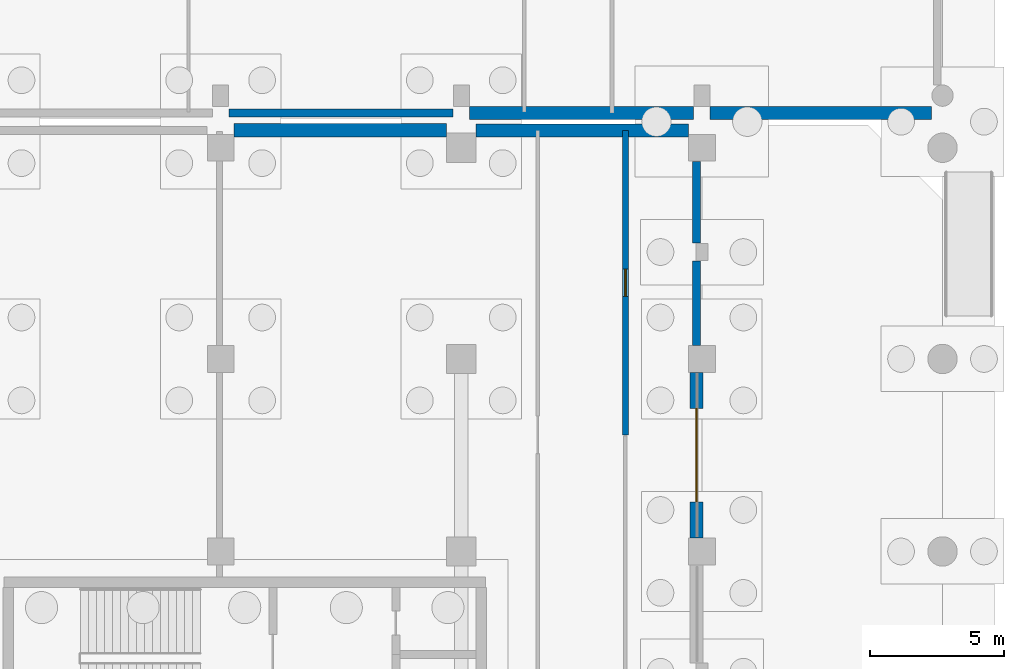
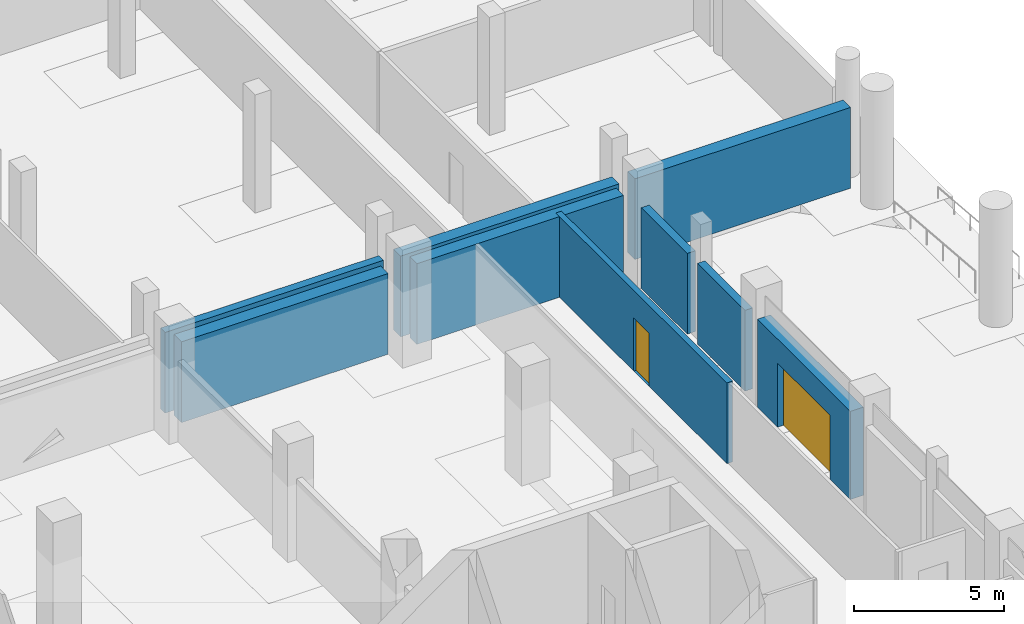
# One storey, part 32 of 53: 9 walls, 2 doors, 2 openings.
"""IFC4 building model written with IfcOpenShell, lengths in metres."""

from ifc_helpers import new_model, si_unit, direction, frame, frame_2d, origin, place, context, subcontext, project, spatial, rectangle, extrude, material, layer, layer_set, type_object, element, fill, save


model = new_model("IFC4")

# Units and contexts
model_context = context("Model", 3, precision=1e-05, world=origin(), true_north=direction((0.0, 1.0)))
body_context = subcontext(model_context, "Body", "Model", "MODEL_VIEW")
ifc_project = project(units=[si_unit("LENGTHUNIT", "METRE"), si_unit("AREAUNIT", "SQUARE_METRE"), si_unit("VOLUMEUNIT", "CUBIC_METRE"), si_unit("PLANEANGLEUNIT", "RADIAN"), si_unit("MASSUNIT", "GRAM", prefix="KILO"), si_unit("THERMODYNAMICTEMPERATUREUNIT", "KELVIN"), si_unit("POWERUNIT", "WATT")], contexts=[model_context])

# Site, building, storey
site_placement = place(None, origin())
site = spatial("IfcSite", under=ifc_project, at=site_placement, CompositionType="ELEMENT")
building_placement = place(site_placement, origin())
building = spatial("IfcBuilding", under=site, at=building_placement, Name="Sindhuravela Promenade Stadium", CompositionType="ELEMENT")
storey_placement = place(building_placement, origin())
storey = spatial("IfcBuildingStorey", under=building, at=storey_placement, Name="L00", CompositionType="ELEMENT", Elevation=0.0)

# Walls
ifc_material_1 = material(Name="Dholpur sandstone ashlar (45 MPa)", Category="masonry")
ifc_layer_1 = layer(ifc_material_1, 0.2900390625)
ifc_layer_set_1 = layer_set([ifc_layer_1], Name="Dholpur sandstone ashlar (45 MPa)")
wall_type_1 = type_object("IfcWallType", Name="EX-WL-SND290", PredefinedType="SOLIDWALL", material=ifc_layer_set_1)
wall_1_placement = place(storey_placement, frame((206.800048828125, 120.669921875, 0.0), z_axis=(0.0, 0.0, 1.0), x_axis=(0.0, -1.0, 0.0)))
element("IfcWall", 1, at=wall_1_placement, inside=storey, type_object=wall_type_1, Name="Exterior masonry wall EW10 EAST L00", PredefinedType="SOLIDWALL", context=body_context, shape_type="SweptSolid", body=[
    extrude(rectangle(XDim=3.1650390625, YDim=0.2900390625, at=frame_2d((1.58251953125, 0.0))), origin(), (0.0, 0.0, 1.0), 3.280029296875),
])
ifc_layer_2 = layer(ifc_material_1, 0.31005859375)
ifc_layer_set_2 = layer_set([ifc_layer_2], Name="Dholpur sandstone ashlar (45 MPa)")
wall_type_2 = type_object("IfcWallType", Name="EX-WL-SND310", PredefinedType="SOLIDWALL", material=ifc_layer_set_2)
wall_2_placement = place(storey_placement, frame((206.800048828125, 124.39501953125, 0.0), z_axis=(0.0, 0.0, 1.0), x_axis=(0.0, -1.0, 0.0)))
element("IfcWall", 2, at=wall_2_placement, inside=storey, type_object=wall_type_2, Name="Exterior masonry wall EW09 EAST L00", PredefinedType="SOLIDWALL", context=body_context, shape_type="SweptSolid", body=[
    extrude(rectangle(XDim=3.06494140625, YDim=0.31005859375, at=frame_2d((1.532470703125, 0.0))), origin(), (0.0, 0.0, 1.0), 3.280029296875),
])
wall_3_placement = place(storey_placement, frame((197.695068359375, 126.199951171875, 0.0), z_axis=(0.0, 0.0, 1.0), x_axis=(-1.0, 0.0, 0.0)))
element("IfcWall", 3, at=wall_3_placement, inside=storey, type_object=wall_type_2, Name="Exterior masonry wall EW09 Pavilion NE L00", PredefinedType="SOLIDWALL", context=body_context, shape_type="SweptSolid", body=[
    extrude(rectangle(XDim=8.39013671875, YDim=0.31005859375, at=frame_2d((4.195068359375, 0.0))), origin(), (0.0, 0.0, 1.0), 3.280029296875),
])
ifc_layer_3 = layer(ifc_material_1, 0.47998046875)
ifc_layer_set_3 = layer_set([ifc_layer_3], Name="Dholpur sandstone ashlar (45 MPa)")
wall_type_3 = type_object("IfcWallType", Name="EX-WL-SND480", PredefinedType="SOLIDWALL", material=ifc_layer_set_3)
wall_4_placement = place(storey_placement, frame((198.554931640625, 125.550048828125, 0.0), z_axis=(0.0, 0.0, 1.0), x_axis=(1.0, 0.0, 0.0)))
element("IfcWall", 4, at=wall_4_placement, inside=storey, type_object=wall_type_3, Name="Exterior masonry wall EW08 EAST L00", PredefinedType="SOLIDWALL", context=body_context, shape_type="SweptSolid", body=[
    extrude(rectangle(XDim=7.940185546875, YDim=0.47998046875, at=frame_2d((3.97021484375, 0.0))), origin(), (0.0, 0.0, 1.0), 3.280029296875),
])
wall_5_placement = place(storey_placement, frame((206.695068359375, 126.199951171875, 0.0), z_axis=(0.0, 0.0, 1.0), x_axis=(-1.0, 0.0, 0.0)))
element("IfcWall", 5, at=wall_5_placement, inside=storey, type_object=wall_type_3, Name="Exterior masonry wall EW08 Pavilion NE L00", PredefinedType="SOLIDWALL", context=body_context, shape_type="SweptSolid", body=[
    extrude(rectangle(XDim=8.39013671875, YDim=0.47998046875, at=frame_2d((4.195068359375, 0.0))), origin(), (0.0, 0.0, 1.0), 3.280029296875),
])
ifc_layer_4 = layer(ifc_material_1, 0.5)
ifc_layer_set_4 = layer_set([ifc_layer_4], Name="Dholpur sandstone ashlar (45 MPa)")
wall_type_4 = type_object("IfcWallType", Name="EX-WL-SND500", PredefinedType="SOLIDWALL", material=ifc_layer_set_4)
wall_6_placement = place(storey_placement, frame((189.5048828125, 125.550048828125, 0.0), z_axis=(0.0, 0.0, 1.0), x_axis=(1.0, 0.0, 0.0)))
element("IfcWall", 6, at=wall_6_placement, inside=storey, type_object=wall_type_4, Name="Exterior masonry wall EW07 EAST L00", PredefinedType="SOLIDWALL", context=body_context, shape_type="SweptSolid", body=[
    extrude(rectangle(XDim=7.940185546875, YDim=0.5, at=frame_2d((3.97021484375, 0.0))), origin(), (0.0, 0.0, 1.0), 3.280029296875),
])

# Wall, opening, door
wall_7_placement = place(storey_placement, frame((206.800048828125, 116.4951171875, 0.0), z_axis=(0.0, 0.0, 1.0), x_axis=(0.0, -1.0, 0.0)))
wall_7 = element("IfcWall", 7, at=wall_7_placement, inside=storey, type_object=wall_type_4, Name="Exterior masonry wall EW07 EAST L00", PredefinedType="SOLIDWALL", context=body_context, shape_type="SweptSolid", body=[
    extrude(rectangle(XDim=6.190185546875, YDim=0.5, at=frame_2d((3.09521484375, 0.0))), origin(), (0.0, 0.0, 1.0), 3.580078125),
])
opening_1_placement = place(wall_7_placement, frame((1.344970703125, 0.0, 0.0)))
opening_1 = element("IfcOpeningElement", 8, at=opening_1_placement, cuts=wall_7, Name="Opening E14", PredefinedType="OPENING", context=body_context, shape_type="SweptSolid", body=[
    extrude(rectangle(XDim=3.5, YDim=2.60009765625, at=frame_2d((1.75, 1.300048828125))), frame((0.0, 0.260009765625, 0.0), z_axis=(0.0, -1.0, 0.0), x_axis=(1.0, 0.0, 0.0)), (0.0, 0.0, 1.0), 0.52001953125),
])
ifc_material_2 = material(Name="Anodised architectural aluminium 6063-T6", Category="aluminium")
door_type_1 = type_object("IfcDoorType", Name="DR-EXIT-3500x2600", OperationType="DOUBLE_DOOR_SINGLE_SWING", PredefinedType="DOOR", material=ifc_material_2)
door_1_placement = place(opening_1_placement, origin())
door_1 = element("IfcDoor", 9, at=door_1_placement, inside=storey, type_object=door_type_1, Name="Final exit door E14", OperationType="DOUBLE_DOOR_SINGLE_SWING", OverallHeight=2.60009765625, OverallWidth=3.5, PredefinedType="DOOR", context=body_context, shape_type="SweptSolid", body=[
    extrude(rectangle(XDim=3.5, YDim=2.60009765625, at=frame_2d((1.75, 1.300048828125))), frame((0.0, 0.02490234375, 0.0), z_axis=(0.0, -1.0, 0.0), x_axis=(1.0, 0.0, 0.0)), (0.0, 0.0, 1.0), 0.050048828125),
])
fill(opening_1, door_1)

# Wall
wall_8_placement = place(storey_placement, frame((215.594970703125, 126.199951171875, 0.0), z_axis=(0.0, 0.0, 1.0), x_axis=(-1.0, 0.0, 0.0)))
element("IfcWall", 10, at=wall_8_placement, inside=storey, type_object=wall_type_4, Name="Exterior masonry wall EW07 Pavilion NE L00", PredefinedType="SOLIDWALL", context=body_context, shape_type="SweptSolid", body=[
    extrude(rectangle(XDim=8.2900390625, YDim=0.5, at=frame_2d((4.14501953125, 0.0))), origin(), (0.0, 0.0, 1.0), 3.280029296875),
])

# Wall, opening, door
ifc_material_3 = material(Name="Fire-rated gypsum partition board", Category="gypsum")
ifc_layer_5 = layer(ifc_material_3, 0.219970703125)
ifc_layer_set_5 = layer_set([ifc_layer_5], Name="Fire-rated gypsum partition board")
wall_type_5 = type_object("IfcWallType", Name="IN-WL-PAR220", PredefinedType="PARTITIONING", material=ifc_layer_set_5)
wall_9_placement = place(storey_placement, frame((204.139892578125, 125.550048828125, 0.0), z_axis=(0.0, 0.0, 1.0), x_axis=(0.0, -1.0, 0.0)))
wall_9 = element("IfcWall", 11, at=wall_9_placement, inside=storey, type_object=wall_type_5, Name="Corridor partition IW01 Park Promenade Cafe 11", PredefinedType="PARTITIONING", context=body_context, shape_type="SweptSolid", body=[
    extrude(rectangle(XDim=11.39013671875, YDim=0.219970703125, at=frame_2d((5.695068359375, 0.0))), origin(), (0.0, 0.0, 1.0), 3.280029296875),
])
opening_2_placement = place(wall_9_placement, frame((5.18505859375, 0.0, 0.0)))
opening_2 = element("IfcOpeningElement", 12, at=opening_2_placement, cuts=wall_9, Name="Opening ID11", PredefinedType="OPENING", context=body_context, shape_type="SweptSolid", body=[
    extrude(rectangle(XDim=1.02001953125, YDim=2.159912109375, at=frame_2d((0.510009765625, 1.080078125))), frame((0.0, 0.119873046875, 0.0), z_axis=(0.0, -1.0, 0.0), x_axis=(1.0, 0.0, 0.0)), (0.0, 0.0, 1.0), 0.239990234375),
])
ifc_material_4 = material(Name="Architectural teak timber leaf", Category="wood")
door_type_2 = type_object("IfcDoorType", Name="DR-INT-1020x2160", OperationType="NOTDEFINED", PredefinedType="DOOR", material=ifc_material_4)
door_2_placement = place(opening_2_placement, origin())
door_2 = element("IfcDoor", 13, at=door_2_placement, inside=storey, type_object=door_type_2, Name="Park Promenade Cafe 11 door", OperationType="SINGLE_SWING_LEFT", OverallHeight=2.159912109375, OverallWidth=1.02001953125, PredefinedType="DOOR", context=body_context, shape_type="SweptSolid", body=[
    extrude(rectangle(XDim=1.02001953125, YDim=2.159912109375, at=frame_2d((0.510009765625, 1.080078125))), frame((0.0, 0.02490234375, 0.0), z_axis=(0.0, -1.0, 0.0), x_axis=(1.0, 0.0, 0.0)), (0.0, 0.0, 1.0), 0.050048828125),
])
fill(opening_2, door_2)

save(model, "model.ifc")
